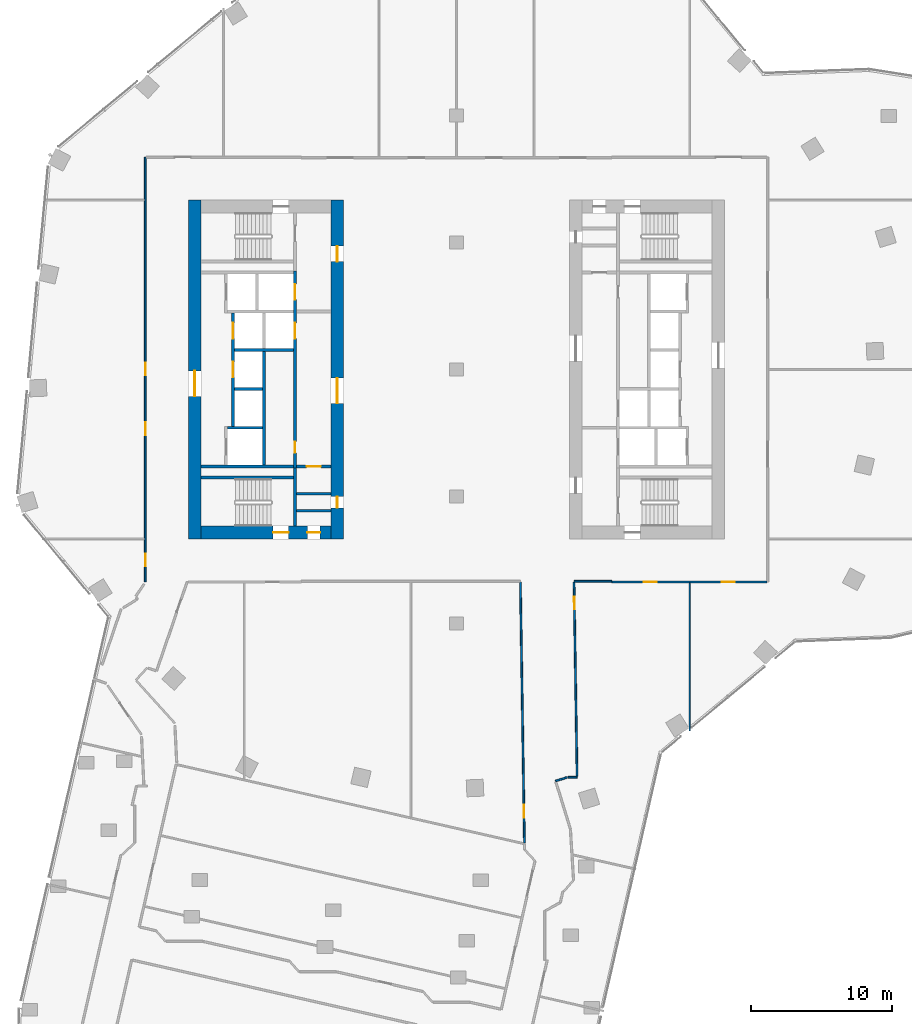
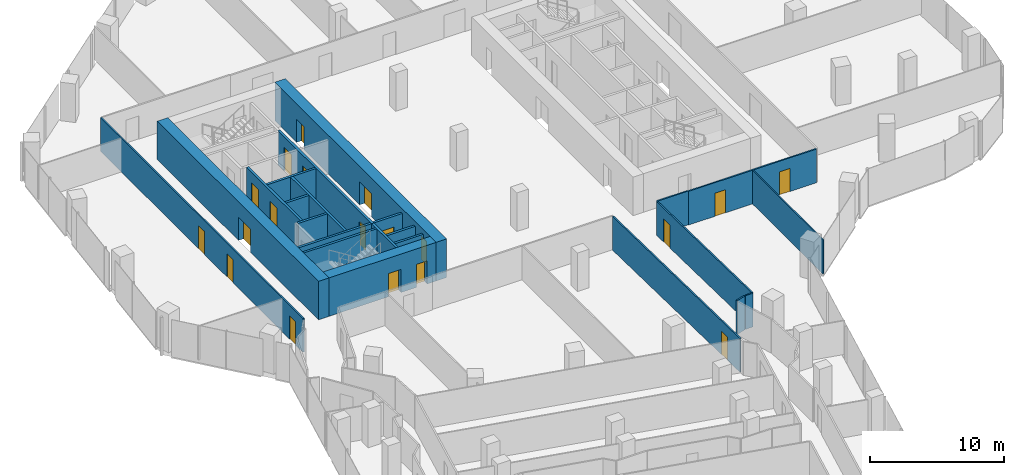
# One storey, part 20 of 24: 23 walls, 19 doors, 19 openings.
"""IFC4 building model written with IfcOpenShell, lengths in metres."""

import ifcopenshell
import ifcopenshell.guid

model = None  # the IFC model being written
_history = None  # IfcOwnerHistory: only IFC2X3 demands one
_inside = {}  # id of a spatial element -> (the spatial element, [elements in it])
_under = {}  # id of a project, library or spatial element -> (it, [spatial elements below it])
_declared = {}  # id of a project -> (the project, [libraries it declares])
_typed = {}  # id of a type object -> (the type object, [elements of that type])
_made_of = {}  # id of a material, layer set ... -> (it, [elements and type objects made of it])


def new_model(schema):
    """Start an empty IFC model of exactly this schema.

    Asked for "IFC4X3", IfcOpenShell would pick the latest addendum, in which some entities
    have other attributes; the version numbers below select the first issue.
    IFC2X3 requires an IfcOwnerHistory on every rooted entity: one is made here for all.
    """
    global model, _history
    if schema == "IFC4X3":
        model = ifcopenshell.file(schema_version=(4, 3, 0, 0))
    else:
        model = ifcopenshell.file(schema=schema)
    _inside.clear()
    _under.clear()
    _declared.clear()
    _typed.clear()
    _made_of.clear()
    _history = None
    if model.schema == "IFC2X3":
        org = make("IfcOrganization", Name="unknown")
        user = make(
            "IfcPersonAndOrganization",
            ThePerson=make("IfcPerson", FamilyName="unknown"),
            TheOrganization=org,
        )
        app = make(
            "IfcApplication",
            ApplicationDeveloper=org,
            Version="unknown",
            ApplicationFullName="unknown",
            ApplicationIdentifier="unknown",
        )
        _history = make(
            "IfcOwnerHistory",
            OwningUser=user,
            OwningApplication=app,
            ChangeAction="ADDED",
            CreationDate=0,
        )
    return model


def make(cls, **values):
    """One entity of the class cls with the attributes given. An attribute that is None is left unset."""
    return model.create_entity(
        cls, **{name: value for name, value in values.items() if value is not None}
    )


def rooted(cls, **values):
    """An entity with a GlobalId (a new one), such as an element, a storey or a relation."""
    return make(cls, GlobalId=ifcopenshell.guid.new(), OwnerHistory=_history, **values)


def si_unit(unit_type, name, prefix=None):
    """IfcSIUnit, for example si_unit("LENGTHUNIT", "METRE", prefix="MILLI")."""
    return make("IfcSIUnit", UnitType=unit_type, Prefix=prefix, Name=name)


def assignment(units):
    """IfcUnitAssignment: the units of a project."""
    return None if units is None else make("IfcUnitAssignment", Units=units)


def point(xyz):
    """IfcCartesianPoint."""
    return None if xyz is None else make("IfcCartesianPoint", Coordinates=xyz)


def direction(xyz):
    """IfcDirection."""
    return None if xyz is None else make("IfcDirection", DirectionRatios=xyz)


def frame(location, z_axis=None, x_axis=None):
    """IfcAxis2Placement3D, a coordinate frame: its origin and axes. An axis left out is left unset."""
    return make(
        "IfcAxis2Placement3D",
        Location=point(location),
        Axis=direction(z_axis),
        RefDirection=direction(x_axis),
    )


def frame_2d(location, x_axis=None):
    """IfcAxis2Placement2D, a coordinate frame in the plane: its origin and x axis."""
    return make(
        "IfcAxis2Placement2D", Location=point(location), RefDirection=direction(x_axis)
    )


def origin():
    """The frame at (0, 0, 0) with its axes left unset."""
    return frame((0.0, 0.0, 0.0))


def place(relative_to, where):
    """IfcLocalPlacement: puts the frame where relative to a parent placement (None: the world)."""
    return make(
        "IfcLocalPlacement", PlacementRelTo=relative_to, RelativePlacement=where
    )


def context(
    kind, dimensions, precision=None, world=None, true_north=None, identifier=None
):
    """IfcGeometricRepresentationContext, for example the 3D "Model" context."""
    return make(
        "IfcGeometricRepresentationContext",
        ContextIdentifier=identifier,
        ContextType=kind,
        CoordinateSpaceDimension=dimensions,
        Precision=precision,
        WorldCoordinateSystem=world,
        TrueNorth=true_north,
    )


def subcontext(parent, identifier, kind, view, scale=None):
    """IfcGeometricRepresentationSubContext, for example "Body" below "Model"."""
    return make(
        "IfcGeometricRepresentationSubContext",
        ContextIdentifier=identifier,
        ContextType=kind,
        ParentContext=parent,
        TargetScale=scale,
        TargetView=view,
    )


def project(units=None, contexts=None):
    """IfcProject with its units and contexts."""
    return rooted(
        "IfcProject",
        Name="project",
        RepresentationContexts=contexts,
        UnitsInContext=assignment(units),
    )


def spatial(cls, under=None, at=None, **own):
    """A site, building, storey or space (cls), placed at a placement, below another one or the project."""
    s = rooted(cls, ObjectPlacement=at, **own)
    if under is not None:
        _under.setdefault(under.id(), (under, []))[1].append(s)
    return s


def profile(cls, at=None, kind="AREA", **sizes):
    """A parametric profile (cls). Its sizes go by their IFC names, for example OverallWidth=200.0."""
    return make(cls, ProfileType=kind, Position=at, **sizes)


def rectangle(**sizes):
    """IfcRectangleProfileDef."""
    return profile("IfcRectangleProfileDef", **sizes)


def extrude(swept, where, along, depth):
    """IfcExtrudedAreaSolid: the profile swept, set in the frame where, extruded along a direction by depth."""
    return make(
        "IfcExtrudedAreaSolid",
        SweptArea=swept,
        Position=where,
        ExtrudedDirection=direction(along),
        Depth=depth,
    )


def shape(context_of_items, identifier, shape_type, items):
    """IfcShapeRepresentation: the items that make up one representation, for example the "Body"."""
    return make(
        "IfcShapeRepresentation",
        ContextOfItems=context_of_items,
        RepresentationIdentifier=identifier,
        RepresentationType=shape_type,
        Items=items,
    )


def material(Name=None, Category=None):
    """IfcMaterial."""
    return make("IfcMaterial", Name=Name, Category=Category)


def layer(
    of_material, thickness, ventilated=None, Name=None, Category=None, Priority=None
):
    """IfcMaterialLayer: one layer of a wall or slab, of a material (None: an air gap)."""
    return make(
        "IfcMaterialLayer",
        Material=of_material,
        LayerThickness=thickness,
        IsVentilated=ventilated,
        Name=Name,
        Category=Category,
        Priority=Priority,
    )


def layer_set(layers, Name=None):
    """IfcMaterialLayerSet."""
    return make("IfcMaterialLayerSet", MaterialLayers=layers, LayerSetName=Name)


def made_of(thing, what):
    """Note that an element or type object is made of a material, layer set ...; save() writes the relation."""
    if what is not None:
        _made_of.setdefault(what.id(), (what, []))[1].append(thing)
    return thing


def type_object(cls, material=None, **own):
    """A type object (cls), such as IfcWallType, which elements share."""
    return made_of(rooted(cls, **own), material)


def element(
    cls,
    number,
    at=None,
    inside=None,
    cuts=None,
    type_object=None,
    material=None,
    context=None,
    identifier="Body",
    shape_type=None,
    held_by="IfcProductDefinitionShape",
    body=None,
    shapes=None,
    **own,
):
    """One element of the class cls, such as IfcWall. Its Tag is "e" and its number.

    at: its placement. inside: the storey or other place that contains it. cuts: it is an
    opening in that element (IfcRelVoidsElement). A single representation is given by context,
    identifier, shape_type and body (its items); several are given by shapes. held_by: the class
    of the entity that holds the representations. save() writes the other relations.
    """
    e = rooted(cls, Tag="e%d" % number, ObjectPlacement=at, **own)
    if body is not None:
        shapes = [shape(context, identifier, shape_type, body)]
    if shapes is not None:
        e.Representation = make(held_by, Representations=shapes)
    if inside is not None:
        _inside.setdefault(inside.id(), (inside, []))[1].append(e)
    if cuts is not None:
        rooted(
            "IfcRelVoidsElement", RelatingBuildingElement=cuts, RelatedOpeningElement=e
        )
    if type_object is not None:
        _typed.setdefault(type_object.id(), (type_object, []))[1].append(e)
    return made_of(e, material)


def fill(opening, filler):
    """IfcRelFillsElement: the door or window that sits in an opening."""
    return rooted(
        "IfcRelFillsElement",
        RelatingOpeningElement=opening,
        RelatedBuildingElement=filler,
    )


def aggregate(whole, parts):
    """IfcRelAggregates: a whole, such as a stair, and the parts it consists of."""
    return rooted("IfcRelAggregates", RelatingObject=whole, RelatedObjects=parts)


def save(model, path):
    """Write the relations noted so far, then the file.

    IfcRelAggregates (storeys below a building ...), IfcRelContainedInSpatialStructure (elements
    in a storey), IfcRelDefinesByType, IfcRelAssociatesMaterial and IfcRelDeclares: one each for
    every whole, place, type object, material and project.
    """
    for whole, parts in _under.values():
        aggregate(whole, parts)
    for where, things in _inside.values():
        rooted(
            "IfcRelContainedInSpatialStructure",
            RelatedElements=things,
            RelatingStructure=where,
        )
    for kind, things in _typed.values():
        rooted("IfcRelDefinesByType", RelatedObjects=things, RelatingType=kind)
    for what, things in _made_of.values():
        rooted("IfcRelAssociatesMaterial", RelatedObjects=things, RelatingMaterial=what)
    for by, libraries in _declared.values():
        rooted("IfcRelDeclares", RelatingContext=by, RelatedDefinitions=libraries)
    model.write(path)


model = new_model("IFC4")

# Units and contexts
model_context = context("Model", 3, precision=1e-05, world=origin(), true_north=direction((0.0, 1.0)))
body_context = subcontext(model_context, "Body", "Model", "MODEL_VIEW")
ifc_project = project(units=[si_unit("LENGTHUNIT", "METRE"), si_unit("AREAUNIT", "SQUARE_METRE"), si_unit("VOLUMEUNIT", "CUBIC_METRE"), si_unit("PLANEANGLEUNIT", "RADIAN"), si_unit("MASSUNIT", "GRAM", prefix="KILO")], contexts=[model_context])

# Site, building, storey
site_placement = place(None, origin())
site = spatial("IfcSite", under=ifc_project, at=site_placement, CompositionType="ELEMENT")
building_placement = place(site_placement, origin())
building = spatial("IfcBuilding", under=site, at=building_placement, Name="Orlundy Tower", CompositionType="ELEMENT")
storey_placement = place(building_placement, frame((0.0, 0.0, 170.60009765625)))
storey = spatial("IfcBuildingStorey", under=building, at=storey_placement, Name="L44", CompositionType="ELEMENT", Elevation=170.60009765625)

# Wall, openings, doors
ifc_material_1 = material(Name="Concrete C70/85", Category="concrete")
ifc_layer_1 = layer(ifc_material_1, 0.89990234375)
ifc_layer_set_1 = layer_set([ifc_layer_1], Name="CORE WALL 900 C70/85")
wall_type_1 = type_object("IfcWallType", Name="CORE WALL 900 C70/85", PredefinedType="SHEAR", material=ifc_layer_set_1)
wall_1_placement = place(storey_placement, frame((-18.10009765625, -11.550048828125, 0.0), z_axis=(0.0, 0.0, 1.0), x_axis=(1.0, 0.0, 0.0)))
wall_1 = element("IfcWall", 1, at=wall_1_placement, inside=storey, type_object=wall_type_1, Name="Core wall W-S L44", PredefinedType="SHEAR", context=body_context, shape_type="SweptSolid", body=[
    extrude(rectangle(XDim=9.2001953125, YDim=0.89990234375, at=frame_2d((4.60009765625, 0.0))), origin(), (0.0, 0.0, 1.0), 3.5),
])
opening_1_placement = place(wall_1_placement, frame((5.10009765625, 0.0, 0.0)))
opening_1 = element("IfcOpeningElement", 2, at=opening_1_placement, cuts=wall_1, Name="Opening 35012", PredefinedType="OPENING", context=body_context, shape_type="SweptSolid", body=[
    extrude(rectangle(XDim=1.10009765625, YDim=2.10009765625, at=frame_2d((0.550048828125, 1.050048828125))), frame((0.0, 0.4599609375, 0.0), z_axis=(0.0, -1.0, 0.0), x_axis=(1.0, 0.0, 0.0)), (0.0, 0.0, 1.0), 0.919921875),
])
opening_2_placement = place(wall_1_placement, frame((7.530029296875, 0.0, 0.0)))
opening_2 = element("IfcOpeningElement", 3, at=opening_2_placement, cuts=wall_1, Name="Opening 35014", PredefinedType="OPENING", context=body_context, shape_type="SweptSolid", body=[
    extrude(rectangle(XDim=0.89990234375, YDim=2.10009765625, at=frame_2d((0.449951171875, 1.050048828125))), frame((0.0, 0.4599609375, 0.0), z_axis=(0.0, -1.0, 0.0), x_axis=(1.0, 0.0, 0.0)), (0.0, 0.0, 1.0), 0.919921875),
])
ifc_material_2 = material(Name="Timber door set", Category="wood")
door_type_1 = type_object("IfcDoorType", Name="Room Door 900x2100", OperationType="SINGLE_SWING_LEFT", PredefinedType="DOOR", material=ifc_material_2)
door_1_placement = place(opening_2_placement, origin())
door_1 = element("IfcDoor", 4, at=door_1_placement, inside=storey, type_object=door_type_1, Name="Store door 35014", OperationType="SINGLE_SWING_RIGHT", OverallHeight=2.10009765625, OverallWidth=0.89990234375, PredefinedType="DOOR", context=body_context, shape_type="SweptSolid", body=[
    extrude(rectangle(XDim=0.89990234375, YDim=2.10009765625, at=frame_2d((0.449951171875, 1.050048828125))), frame((0.0, 0.02490234375, 0.0), z_axis=(0.0, -1.0, 0.0), x_axis=(1.0, 0.0, 0.0)), (0.0, 0.0, 1.0), 0.050048828125),
])
fill(opening_2, door_1)
ifc_material_3 = material(Name="Steel door set", Category="steel")
door_type_2 = type_object("IfcDoorType", Name="Stair Door 1100x2100", OperationType="SINGLE_SWING_LEFT", PredefinedType="DOOR", material=ifc_material_3)
door_2_placement = place(opening_1_placement, origin())
door_2 = element("IfcDoor", 5, at=door_2_placement, inside=storey, type_object=door_type_2, Name="Stair door 35012", OperationType="SINGLE_SWING_RIGHT", OverallHeight=2.10009765625, OverallWidth=1.10009765625, PredefinedType="DOOR", context=body_context, shape_type="SweptSolid", body=[
    extrude(rectangle(XDim=1.10009765625, YDim=2.10009765625, at=frame_2d((0.550048828125, 1.050048828125))), frame((0.0, 0.02490234375, 0.0), z_axis=(0.0, -1.0, 0.0), x_axis=(1.0, 0.0, 0.0)), (0.0, 0.0, 1.0), 0.050048828125),
])
fill(opening_1, door_2)

# Wall, opening, door
wall_2_placement = place(storey_placement, frame((-18.550048828125, -12.0, 0.0), z_axis=(0.0, 0.0, 1.0), x_axis=(0.0, 1.0, 0.0)))
wall_2 = element("IfcWall", 6, at=wall_2_placement, inside=storey, type_object=wall_type_1, Name="Core wall W-W L44", PredefinedType="SHEAR", context=body_context, shape_type="SweptSolid", body=[
    extrude(rectangle(XDim=24.0, YDim=0.89990234375, at=frame_2d((12.0, 0.0))), origin(), (0.0, 0.0, 1.0), 3.5),
])
opening_3_placement = place(wall_2_placement, frame((10.10009765625, 0.0, 0.0)))
opening_3 = element("IfcOpeningElement", 7, at=opening_3_placement, cuts=wall_2, Name="Opening 35009", PredefinedType="OPENING", context=body_context, shape_type="SweptSolid", body=[
    extrude(rectangle(XDim=1.800048828125, YDim=2.10009765625, at=frame_2d((0.89990234375, 1.050048828125))), frame((0.0, 0.4599609375, 0.0), z_axis=(0.0, -1.0, 0.0), x_axis=(1.0, 0.0, 0.0)), (0.0, 0.0, 1.0), 0.919921875),
])
ifc_material_4 = material(Name="Timber door set", Category="wood")
door_type_3 = type_object("IfcDoorType", Name="Lobby Door 1800x2100", OperationType="DOUBLE_DOOR_DOUBLE_SWING", PredefinedType="DOOR", material=ifc_material_4)
door_3_placement = place(opening_3_placement, origin())
door_3 = element("IfcDoor", 8, at=door_3_placement, inside=storey, type_object=door_type_3, Name="Lift lobby door 35009", OperationType="SINGLE_SWING_LEFT", OverallHeight=2.10009765625, OverallWidth=1.800048828125, PredefinedType="DOOR", context=body_context, shape_type="SweptSolid", body=[
    extrude(rectangle(XDim=1.800048828125, YDim=2.10009765625, at=frame_2d((0.89990234375, 1.050048828125))), frame((0.0, 0.02490234375, 0.0), z_axis=(0.0, -1.0, 0.0), x_axis=(1.0, 0.0, 0.0)), (0.0, 0.0, 1.0), 0.050048828125),
])
fill(opening_3, door_3)

# Wall, openings, doors
wall_3_placement = place(storey_placement, frame((-8.449951171875, -12.0, 0.0), z_axis=(0.0, 0.0, 1.0), x_axis=(0.0, 1.0, 0.0)))
wall_3 = element("IfcWall", 9, at=wall_3_placement, inside=storey, type_object=wall_type_1, Name="Core wall W-E L44", PredefinedType="SHEAR", context=body_context, shape_type="SweptSolid", body=[
    extrude(rectangle(XDim=24.0, YDim=0.89990234375, at=frame_2d((12.0, 0.0))), origin(), (0.0, 0.0, 1.0), 3.5),
])
opening_4_placement = place(wall_3_placement, frame((9.60009765625, 0.0, 0.0)))
opening_4 = element("IfcOpeningElement", 10, at=opening_4_placement, cuts=wall_3, Name="Opening 35008", PredefinedType="OPENING", context=body_context, shape_type="SweptSolid", body=[
    extrude(rectangle(XDim=1.800048828125, YDim=2.10009765625, at=frame_2d((0.89990234375, 1.050048828125))), frame((0.0, 0.4599609375, 0.0), z_axis=(0.0, -1.0, 0.0), x_axis=(1.0, 0.0, 0.0)), (0.0, 0.0, 1.0), 0.919921875),
])
opening_5_placement = place(wall_3_placement, frame((19.64990234375, 0.0, 0.0)))
opening_5 = element("IfcOpeningElement", 11, at=opening_5_placement, cuts=wall_3, Name="Opening 35010", PredefinedType="OPENING", context=body_context, shape_type="SweptSolid", body=[
    extrude(rectangle(XDim=1.10009765625, YDim=2.10009765625, at=frame_2d((0.550048828125, 1.050048828125))), frame((0.0, 0.4599609375, 0.0), z_axis=(0.0, -1.0, 0.0), x_axis=(1.0, 0.0, 0.0)), (0.0, 0.0, 1.0), 0.919921875),
])
opening_6_placement = place(wall_3_placement, frame((2.199951171875, 0.0, 0.0)))
opening_6 = element("IfcOpeningElement", 12, at=opening_6_placement, cuts=wall_3, Name="Opening 35015", PredefinedType="OPENING", context=body_context, shape_type="SweptSolid", body=[
    extrude(rectangle(XDim=0.800048828125, YDim=2.10009765625, at=frame_2d((0.39990234375, 1.050048828125))), frame((0.0, 0.4599609375, 0.0), z_axis=(0.0, -1.0, 0.0), x_axis=(1.0, 0.0, 0.0)), (0.0, 0.0, 1.0), 0.919921875),
])
ifc_material_5 = material(Name="Steel door set", Category="steel")
door_type_4 = type_object("IfcDoorType", Name="Fire-fighting Lobby Door 1100x2100", OperationType="SINGLE_SWING_LEFT", PredefinedType="DOOR", material=ifc_material_5)
door_4_placement = place(opening_5_placement, origin())
door_4 = element("IfcDoor", 13, at=door_4_placement, inside=storey, type_object=door_type_4, Name="Fire-fighting lobby door 35010", OperationType="SINGLE_SWING_RIGHT", OverallHeight=2.10009765625, OverallWidth=1.10009765625, PredefinedType="DOOR", context=body_context, shape_type="SweptSolid", body=[
    extrude(rectangle(XDim=1.10009765625, YDim=2.10009765625, at=frame_2d((0.550048828125, 1.050048828125))), frame((0.0, 0.02490234375, 0.0), z_axis=(0.0, -1.0, 0.0), x_axis=(1.0, 0.0, 0.0)), (0.0, 0.0, 1.0), 0.050048828125),
])
fill(opening_5, door_4)
door_5_placement = place(opening_4_placement, origin())
door_5 = element("IfcDoor", 14, at=door_5_placement, inside=storey, type_object=door_type_3, Name="Lift lobby door 35008", OperationType="SINGLE_SWING_LEFT", OverallHeight=2.10009765625, OverallWidth=1.800048828125, PredefinedType="DOOR", context=body_context, shape_type="SweptSolid", body=[
    extrude(rectangle(XDim=1.800048828125, YDim=2.10009765625, at=frame_2d((0.89990234375, 1.050048828125))), frame((0.0, 0.02490234375, 0.0), z_axis=(0.0, -1.0, 0.0), x_axis=(1.0, 0.0, 0.0)), (0.0, 0.0, 1.0), 0.050048828125),
])
fill(opening_4, door_5)
ifc_material_6 = material(Name="Timber door set", Category="wood")
door_type_5 = type_object("IfcDoorType", Name="Riser Door 800x2100", OperationType="SINGLE_SWING_LEFT", PredefinedType="DOOR", material=ifc_material_6)
door_6_placement = place(opening_6_placement, origin())
door_6 = element("IfcDoor", 15, at=door_6_placement, inside=storey, type_object=door_type_5, Name="Door 35015", OperationType="SINGLE_SWING_LEFT", OverallHeight=2.10009765625, OverallWidth=0.800048828125, PredefinedType="DOOR", context=body_context, shape_type="SweptSolid", body=[
    extrude(rectangle(XDim=0.800048828125, YDim=2.10009765625, at=frame_2d((0.39990234375, 1.050048828125))), frame((0.0, 0.02490234375, 0.0), z_axis=(0.0, -1.0, 0.0), x_axis=(1.0, 0.0, 0.0)), (0.0, 0.0, 1.0), 0.050048828125),
])
fill(opening_6, door_6)

# Wall
ifc_material_7 = material(Name="Gypsum board partition")
ifc_layer_2 = layer(ifc_material_7, 0.10009765625)
ifc_layer_set_2 = layer_set([ifc_layer_2], Name="Floor partition 100")
wall_type_2 = type_object("IfcWallType", Name="Floor partition 100", PredefinedType="PARTITIONING", material=ifc_layer_set_2)
wall_4_placement = place(storey_placement, frame((16.52099609375, -25.596923828125, 0.0), z_axis=(0.0, 0.0, 1.0), x_axis=(0.0, 1.0, 0.0)))
element("IfcWall", 16, at=wall_4_placement, inside=storey, type_object=wall_type_2, Name="wall-int-L44-071", PredefinedType="PARTITIONING", context=body_context, shape_type="SweptSolid", body=[
    extrude(rectangle(XDim=10.48291015625, YDim=0.10009765625, at=frame_2d((5.241455078125, 0.0))), origin(), (0.0, 0.0, 1.0), 3.059814453125),
])

# Wall, opening, door
ifc_material_8 = material(Name="Gypsum board partition, double layer")
ifc_layer_3 = layer(ifc_material_8, 0.125)
ifc_layer_set_3 = layer_set([ifc_layer_3], Name="Floor partition 125")
wall_type_3 = type_object("IfcWallType", Name="Floor partition 125", PredefinedType="PARTITIONING", material=ifc_layer_set_3)
wall_5_placement = place(storey_placement, frame((4.81103515625, -33.534912109375, 0.0), z_axis=(0.0, 0.0, 1.0), x_axis=(-0.015646006357, 0.999877593751, 0.0)))
wall_5 = element("IfcWall", 17, at=wall_5_placement, inside=storey, type_object=wall_type_3, Name="wall-int-L44-003", PredefinedType="PARTITIONING", context=body_context, shape_type="SweptSolid", body=[
    extrude(rectangle(XDim=18.47509765625, YDim=0.125, at=frame_2d((9.237548828125, 0.0))), origin(), (0.0, 0.0, 1.0), 3.059814453125),
])
opening_7_placement = place(wall_5_placement, frame((1.783203125, 0.0, 0.0)))
opening_7 = element("IfcOpeningElement", 18, at=opening_7_placement, cuts=wall_5, Name="Opening 35115", PredefinedType="OPENING", context=body_context, shape_type="SweptSolid", body=[
    extrude(rectangle(XDim=0.89990234375, YDim=2.10009765625, at=frame_2d((0.449951171875, 1.050048828125))), frame((0.0, 0.072509765625, 0.0), z_axis=(0.0, -1.0, 0.0), x_axis=(1.0, 0.0, 0.0)), (0.0, 0.0, 1.0), 0.14501953125),
])
ifc_material_9 = material(Name="Timber door leaf", Category="wood")
door_type_6 = type_object("IfcDoorType", Name="Floor door single 900 FD30S", OperationType="NOTDEFINED", PredefinedType="DOOR", material=ifc_material_9)
door_7_placement = place(opening_7_placement, origin())
door_7 = element("IfcDoor", 19, at=door_7_placement, inside=storey, type_object=door_type_6, Name="Door 35115", OperationType="SINGLE_SWING_LEFT", OverallHeight=2.10009765625, OverallWidth=0.89990234375, PredefinedType="DOOR", context=body_context, shape_type="SweptSolid", body=[
    extrude(rectangle(XDim=0.89990234375, YDim=2.10009765625, at=frame_2d((0.449951171875, 1.050048828125))), frame((0.0, 0.02490234375, 0.0), z_axis=(0.0, -1.0, 0.0), x_axis=(1.0, 0.0, 0.0)), (0.0, 0.0, 1.0), 0.050048828125),
])
fill(opening_7, door_7)

wall_6_placement = place(storey_placement, frame((8.323974609375, -15.06201171875, 0.0), z_axis=(0.0, 0.0, 1.0), x_axis=(0.015628358081, -0.999877869754, 0.0)))
wall_6 = element("IfcWall", 20, at=wall_6_placement, inside=storey, type_object=wall_type_3, Name="wall-int-L44-004", PredefinedType="PARTITIONING", context=body_context, shape_type="SweptSolid", body=[
    extrude(rectangle(XDim=13.7626953125, YDim=0.125, at=frame_2d((6.88134765625, 0.0))), origin(), (0.0, 0.0, 1.0), 3.059814453125),
])
opening_8_placement = place(wall_6_placement, frame((1.03759765625, 0.0, 0.0)))
opening_8 = element("IfcOpeningElement", 21, at=opening_8_placement, cuts=wall_6, Name="Opening 35116", PredefinedType="OPENING", context=body_context, shape_type="SweptSolid", body=[
    extrude(rectangle(XDim=0.89990234375, YDim=2.10009765625, at=frame_2d((0.449951171875, 1.050048828125))), frame((0.0, 0.072509765625, 0.0), z_axis=(0.0, -1.0, 0.0), x_axis=(1.0, 0.0, 0.0)), (0.0, 0.0, 1.0), 0.14501953125),
])
door_8_placement = place(opening_8_placement, origin())
door_8 = element("IfcDoor", 22, at=door_8_placement, inside=storey, type_object=door_type_6, Name="Door 35116", OperationType="SINGLE_SWING_LEFT", OverallHeight=2.10009765625, OverallWidth=0.89990234375, PredefinedType="DOOR", context=body_context, shape_type="SweptSolid", body=[
    extrude(rectangle(XDim=0.89990234375, YDim=2.10009765625, at=frame_2d((0.449951171875, 1.050048828125))), frame((0.0, 0.02490234375, 0.0), z_axis=(0.0, -1.0, 0.0), x_axis=(1.0, 0.0, 0.0)), (0.0, 0.0, 1.0), 0.050048828125),
])
fill(opening_8, door_8)

# Wall, openings, doors
wall_7_placement = place(storey_placement, frame((21.988037109375, -15.051025390625, 0.0), z_axis=(0.0, 0.0, 1.0), x_axis=(-1.0, 0.0, 0.0)))
wall_7 = element("IfcWall", 23, at=wall_7_placement, inside=storey, type_object=wall_type_3, Name="wall-int-L44-038", PredefinedType="PARTITIONING", context=body_context, shape_type="SweptSolid", body=[
    extrude(rectangle(XDim=10.9970703125, YDim=0.125, at=frame_2d((5.49853515625, 0.0))), origin(), (0.0, 0.0, 1.0), 3.059814453125),
])
opening_9_placement = place(wall_7_placement, frame((7.81640625, 0.0, 0.0)))
opening_9 = element("IfcOpeningElement", 24, at=opening_9_placement, cuts=wall_7, Name="Opening 35117", PredefinedType="OPENING", context=body_context, shape_type="SweptSolid", body=[
    extrude(rectangle(XDim=0.89990234375, YDim=2.10009765625, at=frame_2d((0.449951171875, 1.050048828125))), frame((0.0, 0.072509765625, 0.0), z_axis=(0.0, -1.0, 0.0), x_axis=(1.0, 0.0, 0.0)), (0.0, 0.0, 1.0), 0.14501953125),
])
opening_10_placement = place(wall_7_placement, frame((2.28759765625, 0.0, 0.0)))
opening_10 = element("IfcOpeningElement", 25, at=opening_10_placement, cuts=wall_7, Name="Opening 35118", PredefinedType="OPENING", context=body_context, shape_type="SweptSolid", body=[
    extrude(rectangle(XDim=0.89990234375, YDim=2.10009765625, at=frame_2d((0.449951171875, 1.050048828125))), frame((0.0, 0.072509765625, 0.0), z_axis=(0.0, -1.0, 0.0), x_axis=(1.0, 0.0, 0.0)), (0.0, 0.0, 1.0), 0.14501953125),
])
door_9_placement = place(opening_9_placement, origin())
door_9 = element("IfcDoor", 26, at=door_9_placement, inside=storey, type_object=door_type_6, Name="Door 35117", OperationType="SINGLE_SWING_RIGHT", OverallHeight=2.10009765625, OverallWidth=0.89990234375, PredefinedType="DOOR", context=body_context, shape_type="SweptSolid", body=[
    extrude(rectangle(XDim=0.89990234375, YDim=2.10009765625, at=frame_2d((0.449951171875, 1.050048828125))), frame((0.0, 0.02490234375, 0.0), z_axis=(0.0, -1.0, 0.0), x_axis=(1.0, 0.0, 0.0)), (0.0, 0.0, 1.0), 0.050048828125),
])
fill(opening_9, door_9)
door_10_placement = place(opening_10_placement, origin())
door_10 = element("IfcDoor", 27, at=door_10_placement, inside=storey, type_object=door_type_6, Name="Door 35118", OperationType="SINGLE_SWING_LEFT", OverallHeight=2.10009765625, OverallWidth=0.89990234375, PredefinedType="DOOR", context=body_context, shape_type="SweptSolid", body=[
    extrude(rectangle(XDim=0.89990234375, YDim=2.10009765625, at=frame_2d((0.449951171875, 1.050048828125))), frame((0.0, 0.02490234375, 0.0), z_axis=(0.0, -1.0, 0.0), x_axis=(1.0, 0.0, 0.0)), (0.0, 0.0, 1.0), 0.050048828125),
])
fill(opening_10, door_10)

# Walls
wall_8_placement = place(storey_placement, frame((8.322998046875, -15.0, 0.0), z_axis=(0.0, 0.0, 1.0), x_axis=(0.999999932961, -0.000366166215, 0.0)))
element("IfcWall", 28, at=wall_8_placement, inside=storey, type_object=wall_type_3, Name="wall-int-L44-040", PredefinedType="PARTITIONING", context=body_context, shape_type="SweptSolid", body=[
    extrude(rectangle(XDim=2.6669921875, YDim=0.125, at=frame_2d((1.33349609375, 0.0))), origin(), (0.0, 0.0, 1.0), 3.059814453125),
])
wall_9_placement = place(storey_placement, frame((7.902099609375, -28.89501953125, 0.0), z_axis=(0.0, 0.0, 1.0), x_axis=(0.999876922486, 0.015688845703, 0.0)))
element("IfcWall", 29, at=wall_9_placement, inside=storey, type_object=wall_type_3, Name="wall-int-L44-050", PredefinedType="PARTITIONING", context=body_context, shape_type="SweptSolid", body=[
    extrude(rectangle(XDim=0.637939453125, YDim=0.125, at=frame_2d((0.31884765625, 0.0))), origin(), (0.0, 0.0, 1.0), 3.059814453125),
])
wall_10_placement = place(storey_placement, frame((7.01611328125, -29.15087890625, 0.0), z_axis=(0.0, 0.0, 1.0), x_axis=(0.955337275677, 0.295517663943, 0.0)))
element("IfcWall", 30, at=wall_10_placement, inside=storey, type_object=wall_type_3, Name="wall-int-L44-052", PredefinedType="PARTITIONING", context=body_context, shape_type="SweptSolid", body=[
    extrude(rectangle(XDim=0.862548828125, YDim=0.125, at=frame_2d((0.43115234375, 0.0))), origin(), (0.0, 0.0, 1.0), 3.059814453125),
])

# Wall, openings, doors
wall_11_placement = place(storey_placement, frame((-22.050048828125, -15.051025390625, 0.0), z_axis=(0.0, 0.0, 1.0), x_axis=(0.0, 1.0, 0.0)))
wall_11 = element("IfcWall", 31, at=wall_11_placement, inside=storey, type_object=wall_type_3, Name="wall-int-L44-083", PredefinedType="PARTITIONING", context=body_context, shape_type="SweptSolid", body=[
    extrude(rectangle(XDim=30.10205078125, YDim=0.125, at=frame_2d((15.051025390625, 0.0))), origin(), (0.0, 0.0, 1.0), 3.059814453125),
])
opening_11_placement = place(wall_11_placement, frame((10.40087890625, 0.0, 0.0)))
opening_11 = element("IfcOpeningElement", 32, at=opening_11_placement, cuts=wall_11, Name="Opening 35109", PredefinedType="OPENING", context=body_context, shape_type="SweptSolid", body=[
    extrude(rectangle(XDim=0.89990234375, YDim=2.10009765625, at=frame_2d((0.449951171875, 1.050048828125))), frame((0.0, 0.072509765625, 0.0), z_axis=(0.0, -1.0, 0.0), x_axis=(1.0, 0.0, 0.0)), (0.0, 0.0, 1.0), 0.14501953125),
])
opening_12_placement = place(wall_11_placement, frame((14.65087890625, 0.0, 0.0)))
opening_12 = element("IfcOpeningElement", 33, at=opening_12_placement, cuts=wall_11, Name="Opening 35110", PredefinedType="OPENING", context=body_context, shape_type="SweptSolid", body=[
    extrude(rectangle(XDim=0.89990234375, YDim=2.10009765625, at=frame_2d((0.449951171875, 1.050048828125))), frame((0.0, 0.072509765625, 0.0), z_axis=(0.0, -1.0, 0.0), x_axis=(1.0, 0.0, 0.0)), (0.0, 0.0, 1.0), 0.14501953125),
])
opening_13_placement = place(wall_11_placement, frame((1.10009765625, 0.0, 0.0)))
opening_13 = element("IfcOpeningElement", 34, at=opening_13_placement, cuts=wall_11, Name="Opening 35111", PredefinedType="OPENING", context=body_context, shape_type="SweptSolid", body=[
    extrude(rectangle(XDim=0.89990234375, YDim=2.10009765625, at=frame_2d((0.449951171875, 1.050048828125))), frame((0.0, 0.072509765625, 0.0), z_axis=(0.0, -1.0, 0.0), x_axis=(1.0, 0.0, 0.0)), (0.0, 0.0, 1.0), 0.14501953125),
])
door_11_placement = place(opening_11_placement, origin())
door_11 = element("IfcDoor", 35, at=door_11_placement, inside=storey, type_object=door_type_6, Name="Door 35109", OperationType="SINGLE_SWING_LEFT", OverallHeight=2.10009765625, OverallWidth=0.89990234375, PredefinedType="DOOR", context=body_context, shape_type="SweptSolid", body=[
    extrude(rectangle(XDim=0.89990234375, YDim=2.10009765625, at=frame_2d((0.449951171875, 1.050048828125))), frame((0.0, 0.02490234375, 0.0), z_axis=(0.0, -1.0, 0.0), x_axis=(1.0, 0.0, 0.0)), (0.0, 0.0, 1.0), 0.050048828125),
])
fill(opening_11, door_11)
door_12_placement = place(opening_12_placement, origin())
door_12 = element("IfcDoor", 36, at=door_12_placement, inside=storey, type_object=door_type_6, Name="Door 35110", OperationType="SINGLE_SWING_RIGHT", OverallHeight=2.10009765625, OverallWidth=0.89990234375, PredefinedType="DOOR", context=body_context, shape_type="SweptSolid", body=[
    extrude(rectangle(XDim=0.89990234375, YDim=2.10009765625, at=frame_2d((0.449951171875, 1.050048828125))), frame((0.0, 0.02490234375, 0.0), z_axis=(0.0, -1.0, 0.0), x_axis=(1.0, 0.0, 0.0)), (0.0, 0.0, 1.0), 0.050048828125),
])
fill(opening_12, door_12)
door_13_placement = place(opening_13_placement, origin())
door_13 = element("IfcDoor", 37, at=door_13_placement, inside=storey, type_object=door_type_6, Name="Door 35111", OperationType="SINGLE_SWING_LEFT", OverallHeight=2.10009765625, OverallWidth=0.89990234375, PredefinedType="DOOR", context=body_context, shape_type="SweptSolid", body=[
    extrude(rectangle(XDim=0.89990234375, YDim=2.10009765625, at=frame_2d((0.449951171875, 1.050048828125))), frame((0.0, 0.02490234375, 0.0), z_axis=(0.0, -1.0, 0.0), x_axis=(1.0, 0.0, 0.0)), (0.0, 0.0, 1.0), 0.050048828125),
])
fill(opening_13, door_13)

# Walls
ifc_material_10 = material(Name="Concrete C40/50", Category="concrete")
ifc_layer_4 = layer(ifc_material_10, 0.199951171875)
ifc_layer_set_4 = layer_set([ifc_layer_4], Name="Load-bearing Shaft Wall 200")
wall_type_4 = type_object("IfcWallType", Name="Load-bearing Shaft Wall 200", PredefinedType="SOLIDWALL", material=ifc_layer_set_4)
wall_12_placement = place(storey_placement, frame((-11.43994140625, -11.10009765625, 0.0), z_axis=(0.0, 0.0, 1.0), x_axis=(0.0, 1.0, 0.0)))
element("IfcWall", 38, at=wall_12_placement, inside=storey, type_object=wall_type_4, Name="Shaft wall W35-stair-end-s", PredefinedType="SOLIDWALL", context=body_context, shape_type="SweptSolid", body=[
    extrude(rectangle(XDim=4.125, YDim=0.199951171875, at=frame_2d((2.0625, 0.0))), origin(), (0.0, 0.0, 1.0), 3.079833984375),
])
wall_13_placement = place(storey_placement, frame((-11.5400390625, -7.64990234375, 0.0), z_axis=(0.0, 0.0, 1.0), x_axis=(-1.0, 0.0, 0.0)))
element("IfcWall", 39, at=wall_13_placement, inside=storey, type_object=wall_type_4, Name="Shaft wall W35-stair-side-s", PredefinedType="SOLIDWALL", context=body_context, shape_type="SweptSolid", body=[
    extrude(rectangle(XDim=6.56005859375, YDim=0.199951171875, at=frame_2d((3.280029296875, 0.0))), origin(), (0.0, 0.0, 1.0), 3.079833984375),
])

# Wall, opening, door
ifc_material_11 = material(Name="Gypsum board partition on steel studs", Category="steel")
ifc_layer_5 = layer(ifc_material_11, 0.199951171875)
ifc_layer_set_5 = layer_set([ifc_layer_5], Name="Partition 200")
wall_type_5 = type_object("IfcWallType", Name="Partition 200", PredefinedType="PARTITIONING", material=ifc_layer_set_5)
wall_14_placement = place(storey_placement, frame((-8.89990234375, -6.875, 0.0), z_axis=(0.0, 0.0, 1.0), x_axis=(-1.0, 0.0, 0.0)))
wall_14 = element("IfcWall", 40, at=wall_14_placement, inside=storey, type_object=wall_type_5, Name="Partition wall W35-end-s", PredefinedType="PARTITIONING", context=body_context, shape_type="SweptSolid", body=[
    extrude(rectangle(XDim=2.440185546875, YDim=0.199951171875, at=frame_2d((1.22021484375, 0.0))), origin(), (0.0, 0.0, 1.0), 3.079833984375),
])
opening_14_placement = place(wall_14_placement, frame((0.719970703125, 0.0, 0.0)))
opening_14 = element("IfcOpeningElement", 41, at=opening_14_placement, cuts=wall_14, Name="Opening 35016", PredefinedType="OPENING", context=body_context, shape_type="SweptSolid", body=[
    extrude(rectangle(XDim=1.0, YDim=2.10009765625, at=frame_2d((0.5, 1.050048828125))), frame((0.0, 0.110107421875, 0.0), z_axis=(0.0, -1.0, 0.0), x_axis=(1.0, 0.0, 0.0)), (0.0, 0.0, 1.0), 0.22021484375),
])
ifc_material_12 = material(Name="Timber door set", Category="wood")
door_type_7 = type_object("IfcDoorType", Name="Accessible Door 1000x2100", OperationType="SINGLE_SWING_LEFT", PredefinedType="DOOR", material=ifc_material_12)
door_14_placement = place(opening_14_placement, origin())
door_14 = element("IfcDoor", 42, at=door_14_placement, inside=storey, type_object=door_type_7, Name="Accessible WC door 35016", OperationType="SINGLE_SWING_RIGHT", OverallHeight=2.10009765625, OverallWidth=1.0, PredefinedType="DOOR", context=body_context, shape_type="SweptSolid", body=[
    extrude(rectangle(XDim=1.0, YDim=2.10009765625, at=frame_2d((0.5, 1.050048828125))), frame((0.0, 0.02490234375, 0.0), z_axis=(0.0, -1.0, 0.0), x_axis=(1.0, 0.0, 0.0)), (0.0, 0.0, 1.0), 0.050048828125),
])
fill(opening_14, door_14)

# Walls
for number, where, z_axis, x_axis, name in (
    (43, (-8.89990234375, -10.0, 0.0), (0.0, 0.0, 1.0), (-1.0, 0.0, 0.0), "Partition wall W35-room-s0"),
    (44, (-8.89990234375, -8.800048828125, 0.0), (0.0, 0.0, 1.0), (-1.0, 0.0, 0.0), "Partition wall W35-room-s1"),
):
    element("IfcWall", number, at=place(storey_placement, frame(where, z_axis=z_axis, x_axis=x_axis)), inside=storey, type_object=wall_type_5, Name=name, PredefinedType="PARTITIONING", context=body_context, shape_type="SweptSolid", body=[
        extrude(rectangle(XDim=2.440185546875, YDim=0.199951171875, at=frame_2d((1.22021484375, 0.0))), origin(), (0.0, 0.0, 1.0), 3.079833984375),
    ])
ifc_material_13 = material(Name="Fire-rated blockwork shaft wall", Category="masonry")
ifc_layer_6 = layer(ifc_material_13, 0.199951171875)
ifc_layer_set_6 = layer_set([ifc_layer_6], Name="Shaft Wall 200")
wall_type_6 = type_object("IfcWallType", Name="Shaft Wall 200", PredefinedType="SOLIDWALL", material=ifc_layer_set_6)
wall_15_placement = place(storey_placement, frame((-11.5400390625, -6.875, 0.0), z_axis=(0.0, 0.0, 1.0), x_axis=(-1.0, 0.0, 0.0)))
element("IfcWall", 45, at=wall_15_placement, inside=storey, type_object=wall_type_6, Name="Shaft wall W35-zone-s", PredefinedType="SOLIDWALL", context=body_context, shape_type="SweptSolid", body=[
    extrude(rectangle(XDim=6.56005859375, YDim=0.199951171875, at=frame_2d((3.280029296875, 0.0))), origin(), (0.0, 0.0, 1.0), 3.079833984375),
])
wall_16_placement = place(storey_placement, frame((-13.739990234375, -4.125, 0.0), z_axis=(0.0, 0.0, 1.0), x_axis=(-1.0, 0.0, 0.0)))
element("IfcWall", 46, at=wall_16_placement, inside=storey, type_object=wall_type_6, Name="Shaft wall W35-cross-4.125", PredefinedType="SOLIDWALL", context=body_context, shape_type="SweptSolid", body=[
    extrude(rectangle(XDim=2.5, YDim=0.199951171875, at=frame_2d((1.25, 0.0))), origin(), (0.0, 0.0, 1.0), 3.079833984375),
])
wall_17_placement = place(storey_placement, frame((-13.739990234375, -1.375, 0.0), z_axis=(0.0, 0.0, 1.0), x_axis=(-1.0, 0.0, 0.0)))
element("IfcWall", 47, at=wall_17_placement, inside=storey, type_object=wall_type_6, Name="Shaft wall W35-cross-1.375", PredefinedType="SOLIDWALL", context=body_context, shape_type="SweptSolid", body=[
    extrude(rectangle(XDim=2.0, YDim=0.199951171875, at=frame_2d((1.0, 0.0))), origin(), (0.0, 0.0, 1.0), 3.079833984375),
])
wall_18_placement = place(storey_placement, frame((-11.5400390625, 1.375, 0.0), z_axis=(0.0, 0.0, 1.0), x_axis=(-1.0, 0.0, 0.0)))
element("IfcWall", 48, at=wall_18_placement, inside=storey, type_object=wall_type_6, Name="Shaft wall W35-cross+1.375", PredefinedType="SOLIDWALL", context=body_context, shape_type="SweptSolid", body=[
    extrude(rectangle(XDim=4.199951171875, YDim=0.199951171875, at=frame_2d((2.10009765625, 0.0))), origin(), (0.0, 0.0, 1.0), 3.079833984375),
])

# Wall, openings, doors
wall_19_placement = place(storey_placement, frame((-11.43994140625, -6.97509765625, 0.0), z_axis=(0.0, 0.0, 1.0), x_axis=(0.0, 1.0, 0.0)))
wall_19 = element("IfcWall", 49, at=wall_19_placement, inside=storey, type_object=wall_type_6, Name="Shaft wall W35-front-h", PredefinedType="SOLIDWALL", context=body_context, shape_type="SweptSolid", body=[
    extrude(rectangle(XDim=13.9501953125, YDim=0.199951171875, at=frame_2d((6.97509765625, 0.0))), origin(), (0.0, 0.0, 1.0), 3.079833984375),
])
opening_15_placement = place(wall_19_placement, frame((9.175048828125, 0.0, 0.0)))
opening_15 = element("IfcOpeningElement", 50, at=opening_15_placement, cuts=wall_19, Name="Opening 35003", PredefinedType="OPENING", context=body_context, shape_type="SweptSolid", body=[
    extrude(rectangle(XDim=1.10009765625, YDim=2.10009765625, at=frame_2d((0.550048828125, 1.050048828125))), frame((0.0, 0.110107421875, 0.0), z_axis=(0.0, -1.0, 0.0), x_axis=(1.0, 0.0, 0.0)), (0.0, 0.0, 1.0), 0.22021484375),
])
opening_16_placement = place(wall_19_placement, frame((11.925048828125, 0.0, 0.0)))
opening_16 = element("IfcOpeningElement", 51, at=opening_16_placement, cuts=wall_19, Name="Opening 35005", PredefinedType="OPENING", context=body_context, shape_type="SweptSolid", body=[
    extrude(rectangle(XDim=1.10009765625, YDim=2.10009765625, at=frame_2d((0.550048828125, 1.050048828125))), frame((0.0, 0.110107421875, 0.0), z_axis=(0.0, -1.0, 0.0), x_axis=(1.0, 0.0, 0.0)), (0.0, 0.0, 1.0), 0.22021484375),
])
opening_17_placement = place(wall_19_placement, frame((1.074951171875, 0.0, 0.0)))
opening_17 = element("IfcOpeningElement", 52, at=opening_17_placement, cuts=wall_19, Name="Opening 35007", PredefinedType="OPENING", context=body_context, shape_type="SweptSolid", body=[
    extrude(rectangle(XDim=0.800048828125, YDim=2.10009765625, at=frame_2d((0.39990234375, 1.050048828125))), frame((0.0, 0.110107421875, 0.0), z_axis=(0.0, -1.0, 0.0), x_axis=(1.0, 0.0, 0.0)), (0.0, 0.0, 1.0), 0.22021484375),
])
ifc_material_14 = material(Name="Steel door set", Category="steel")
door_type_8 = type_object("IfcDoorType", Name="Landing Door 1100x2100", OperationType="DOUBLE_DOOR_SLIDING", PredefinedType="DOOR", material=ifc_material_14)
door_15_placement = place(opening_15_placement, origin())
door_15 = element("IfcDoor", 53, at=door_15_placement, inside=storey, type_object=door_type_8, Name="Lift landing door LP-12 35003", OperationType="DOUBLE_DOOR_SLIDING", OverallHeight=2.10009765625, OverallWidth=1.10009765625, PredefinedType="DOOR", context=body_context, shape_type="SweptSolid", body=[
    extrude(rectangle(XDim=1.10009765625, YDim=2.10009765625, at=frame_2d((0.550048828125, 1.050048828125))), frame((0.0, 0.02490234375, 0.0), z_axis=(0.0, -1.0, 0.0), x_axis=(1.0, 0.0, 0.0)), (0.0, 0.0, 1.0), 0.050048828125),
])
fill(opening_15, door_15)
door_16_placement = place(opening_16_placement, origin())
door_16 = element("IfcDoor", 54, at=door_16_placement, inside=storey, type_object=door_type_8, Name="Lift landing door FL1 35005", OperationType="DOUBLE_DOOR_SLIDING", OverallHeight=2.10009765625, OverallWidth=1.10009765625, PredefinedType="DOOR", context=body_context, shape_type="SweptSolid", body=[
    extrude(rectangle(XDim=1.10009765625, YDim=2.10009765625, at=frame_2d((0.550048828125, 1.050048828125))), frame((0.0, 0.02490234375, 0.0), z_axis=(0.0, -1.0, 0.0), x_axis=(1.0, 0.0, 0.0)), (0.0, 0.0, 1.0), 0.050048828125),
])
fill(opening_16, door_16)
door_17_placement = place(opening_17_placement, origin())
door_17 = element("IfcDoor", 55, at=door_17_placement, inside=storey, type_object=door_type_5, Name="Telecom Room door 35007", OperationType="SINGLE_SWING_LEFT", OverallHeight=2.10009765625, OverallWidth=0.800048828125, PredefinedType="DOOR", context=body_context, shape_type="SweptSolid", body=[
    extrude(rectangle(XDim=0.800048828125, YDim=2.10009765625, at=frame_2d((0.39990234375, 1.050048828125))), frame((0.0, 0.02490234375, 0.0), z_axis=(0.0, -1.0, 0.0), x_axis=(1.0, 0.0, 0.0)), (0.0, 0.0, 1.0), 0.050048828125),
])
fill(opening_17, door_17)

# Wall
wall_20_placement = place(storey_placement, frame((-13.639892578125, -6.77490234375, 0.0), z_axis=(0.0, 0.0, 1.0), x_axis=(0.0, 1.0, 0.0)))
element("IfcWall", 56, at=wall_20_placement, inside=storey, type_object=wall_type_6, Name="Shaft wall W35-mid-a", PredefinedType="SOLIDWALL", context=body_context, shape_type="SweptSolid", body=[
    extrude(rectangle(XDim=8.0498046875, YDim=0.199951171875, at=frame_2d((4.02490234375, 0.0))), origin(), (0.0, 0.0, 1.0), 3.079833984375),
])

# Wall, openings, doors
wall_21_placement = place(storey_placement, frame((-15.840087890625, -4.02490234375, 0.0), z_axis=(0.0, 0.0, 1.0), x_axis=(0.0, 1.0, 0.0)))
wall_21 = element("IfcWall", 57, at=wall_21_placement, inside=storey, type_object=wall_type_6, Name="Shaft wall W35-front-o-b", PredefinedType="SOLIDWALL", context=body_context, shape_type="SweptSolid", body=[
    extrude(rectangle(XDim=8.0498046875, YDim=0.199951171875, at=frame_2d((4.02490234375, 0.0))), origin(), (0.0, 0.0, 1.0), 3.079833984375),
])
opening_18_placement = place(wall_21_placement, frame((3.47509765625, 0.0, 0.0)))
opening_18 = element("IfcOpeningElement", 58, at=opening_18_placement, cuts=wall_21, Name="Opening 35002", PredefinedType="OPENING", context=body_context, shape_type="SweptSolid", body=[
    extrude(rectangle(XDim=1.10009765625, YDim=2.10009765625, at=frame_2d((0.550048828125, 1.050048828125))), frame((0.0, 0.110107421875, 0.0), z_axis=(0.0, -1.0, 0.0), x_axis=(1.0, 0.0, 0.0)), (0.0, 0.0, 1.0), 0.22021484375),
])
opening_19_placement = place(wall_21_placement, frame((6.22509765625, 0.0, 0.0)))
opening_19 = element("IfcOpeningElement", 59, at=opening_19_placement, cuts=wall_21, Name="Opening 35004", PredefinedType="OPENING", context=body_context, shape_type="SweptSolid", body=[
    extrude(rectangle(XDim=1.10009765625, YDim=2.10009765625, at=frame_2d((0.550048828125, 1.050048828125))), frame((0.0, 0.110107421875, 0.0), z_axis=(0.0, -1.0, 0.0), x_axis=(1.0, 0.0, 0.0)), (0.0, 0.0, 1.0), 0.22021484375),
])
door_18_placement = place(opening_18_placement, origin())
door_18 = element("IfcDoor", 60, at=door_18_placement, inside=storey, type_object=door_type_8, Name="Lift landing door LP-11 35002", OperationType="DOUBLE_DOOR_SLIDING", OverallHeight=2.10009765625, OverallWidth=1.10009765625, PredefinedType="DOOR", context=body_context, shape_type="SweptSolid", body=[
    extrude(rectangle(XDim=1.10009765625, YDim=2.10009765625, at=frame_2d((0.550048828125, 1.050048828125))), frame((0.0, 0.02490234375, 0.0), z_axis=(0.0, -1.0, 0.0), x_axis=(1.0, 0.0, 0.0)), (0.0, 0.0, 1.0), 0.050048828125),
])
fill(opening_18, door_18)
door_19_placement = place(opening_19_placement, origin())
door_19 = element("IfcDoor", 61, at=door_19_placement, inside=storey, type_object=door_type_8, Name="Lift landing door LP-13 35004", OperationType="DOUBLE_DOOR_SLIDING", OverallHeight=2.10009765625, OverallWidth=1.10009765625, PredefinedType="DOOR", context=body_context, shape_type="SweptSolid", body=[
    extrude(rectangle(XDim=1.10009765625, YDim=2.10009765625, at=frame_2d((0.550048828125, 1.050048828125))), frame((0.0, 0.02490234375, 0.0), z_axis=(0.0, -1.0, 0.0), x_axis=(1.0, 0.0, 0.0)), (0.0, 0.0, 1.0), 0.050048828125),
])
fill(opening_19, door_19)

save(model, "model.ifc")
